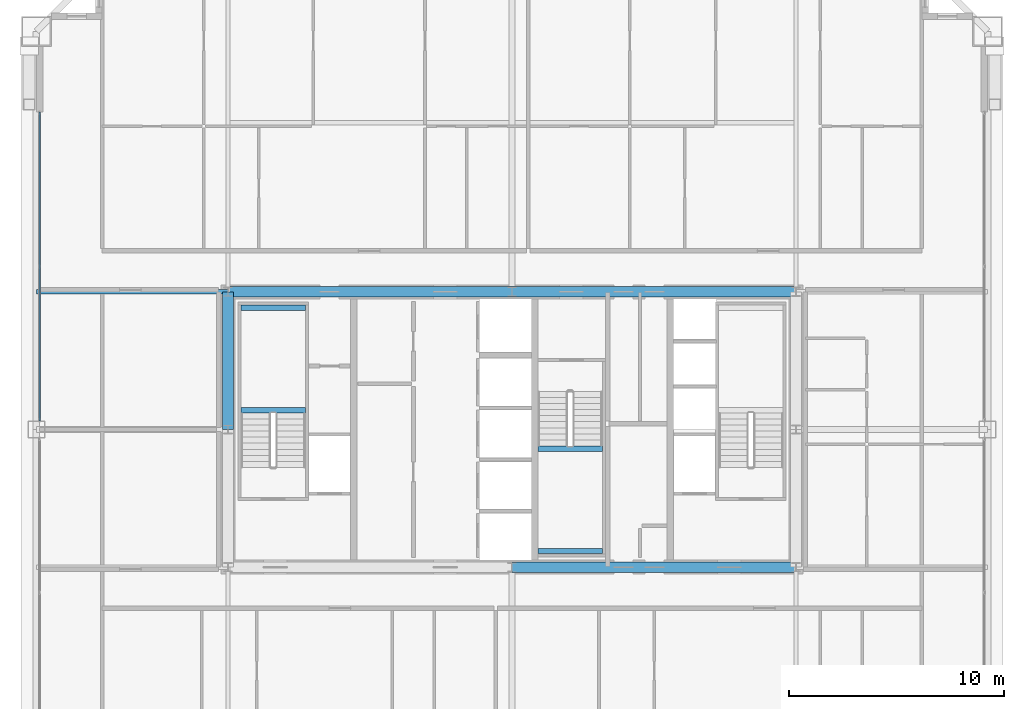
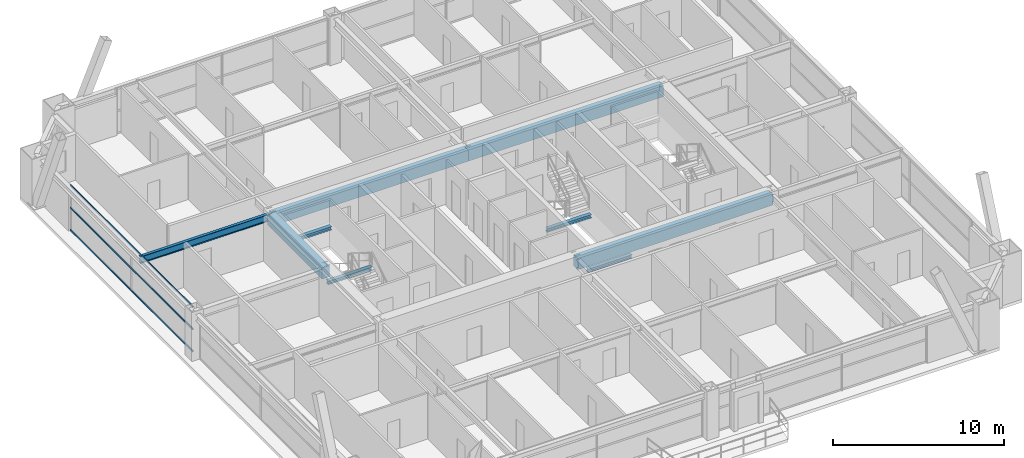
# One storey, part 19 of 45: 9 beams, 3 members, 1 element without a shape of its own.
"""IFC4 building model written with IfcOpenShell, lengths in metres."""

from ifc_helpers import new_model, si_unit, direction, frame, origin, origin_2d, place, context, subcontext, project, spatial, rectangle, hollow_rectangle, i_section, extrude, source, transform, mapped, material, layer, layer_set, material_profile, profile_set, type_object, element, aggregate, save


model = new_model("IFC4")

# Units and contexts
model_context = context("Model", 3, precision=1e-05, world=origin(), true_north=direction((0.0, 1.0)))
body_context = subcontext(model_context, "Body", "Model", "MODEL_VIEW")
ifc_project = project(units=[si_unit("LENGTHUNIT", "METRE"), si_unit("AREAUNIT", "SQUARE_METRE"), si_unit("VOLUMEUNIT", "CUBIC_METRE"), si_unit("PLANEANGLEUNIT", "RADIAN"), si_unit("MASSUNIT", "GRAM", prefix="KILO"), si_unit("THERMODYNAMICTEMPERATUREUNIT", "KELVIN"), si_unit("POWERUNIT", "WATT")], contexts=[model_context])

# Site, building, storey
site_placement = place(None, origin())
site = spatial("IfcSite", under=ifc_project, at=site_placement, CompositionType="ELEMENT")
building_placement = place(site_placement, origin())
building = spatial("IfcBuilding", under=site, at=building_placement, Name="Yuzanri Waterfront Tower", CompositionType="ELEMENT")
storey_placement = place(building_placement, frame((0.0, 0.0, 198.5)))
storey = spatial("IfcBuildingStorey", under=building, at=storey_placement, Name="L52", CompositionType="ELEMENT", Elevation=198.5)

# Beams
ifc_material_1 = material(Name="Steel Q355B", Category="steel")
ifc_material_profile_1 = material_profile(ifc_material_1, i_section(OverallWidth=0.199951171875, OverallDepth=0.5, WebThickness=0.010009765625, FlangeThickness=0.01611328125, at=origin_2d()), Name="HN 500x200x10x16")
ifc_profile_set_1 = profile_set([ifc_material_profile_1], Name="Steel Q355B")
beam_type_1 = type_object("IfcBeamType", Name="Secondary Floor Beam Q355B HN 500x200", PredefinedType="BEAM", material=ifc_profile_set_1)
shared_shape_1 = source(origin(), body_context, "Body", "SweptSolid", [
    extrude(i_section(OverallWidth=0.199951171875, OverallDepth=0.5, WebThickness=0.010009765625, FlangeThickness=0.01611328125, at=origin_2d()), origin(), (0.0, 0.0, 1.0), 8.900146484375),
])
beam_1_placement = place(storey_placement, frame((23.800048828125, 32.199951171875, 3.030029296875), z_axis=(-1.0, 0.0, 0.0), x_axis=(0.0, -1.0, 0.0)))
element("IfcBeam", 1, at=beam_1_placement, inside=storey, type_object=beam_type_1, Name="L52 West-North Core Line Beam", PredefinedType="BEAM", context=body_context, shape_type="MappedRepresentation", body=[
    mapped(shared_shape_1, transform((0.0, 0.0, 0.0), scale=1.0)),
])
ifc_material_2 = material(Name="Concrete C50", Category="concrete")
ifc_material_profile_2 = material_profile(ifc_material_2, rectangle(XDim=0.5, YDim=0.800048828125, at=origin_2d()), Name="RC 500x800")
ifc_profile_set_2 = profile_set([ifc_material_profile_2], Name="Concrete C50")
beam_type_2 = type_object("IfcBeamType", Name="Core Coupling Lintel Concrete C50 500x800", PredefinedType="LINTEL", material=ifc_profile_set_2)
shared_shape_2 = source(origin(), body_context, "Body", "SweptSolid", [
    extrude(rectangle(XDim=0.5, YDim=0.800048828125, at=origin_2d()), origin(), (0.0, 0.0, 1.0), 13.199951171875),
])
for number, where, z_axis, x_axis, name in (
    (2, (37.0, 19.39990234375, 2.8798828125), (1.0, 0.0, 0.0), (0.0, 1.0, 0.0), "L52 Core Tie Beam CS2"),
    (3, (23.800048828125, 32.199951171875, 2.8798828125), (1.0, 0.0, 0.0), (0.0, 1.0, 0.0), "L52 Core Tie Beam CN1"),
    (4, (37.0, 32.199951171875, 2.8798828125), (1.0, 0.0, 0.0), (0.0, 1.0, 0.0), "L52 Core Tie Beam CN2"),
):
    element("IfcBeam", number, at=place(storey_placement, frame(where, z_axis=z_axis, x_axis=x_axis)), inside=storey, type_object=beam_type_2, Name=name, PredefinedType="LINTEL", context=body_context, shape_type="MappedRepresentation", body=[
        mapped(shared_shape_2, transform((0.0, 0.0, 0.0), scale=1.0)),
    ])
shared_shape_3 = source(origin(), body_context, "Body", "SweptSolid", [
    extrude(rectangle(XDim=0.5, YDim=0.800048828125, at=origin_2d()), origin(), (0.0, 0.0, 1.0), 6.39990234375),
])
beam_2_placement = place(storey_placement, frame((23.800048828125, 25.800048828125, 2.8798828125), z_axis=(0.0, 1.0, 0.0), x_axis=(-1.0, 0.0, 0.0)))
element("IfcBeam", 5, at=beam_2_placement, inside=storey, type_object=beam_type_2, Name="L52 Core Tie Beam CW2", PredefinedType="LINTEL", context=body_context, shape_type="MappedRepresentation", body=[
    mapped(shared_shape_3, transform((0.0, 0.0, 0.0), scale=1.0)),
])

# Curtain wall, members
ifc_material_3 = material(Name="Anodized Architectural Bronze", Category="metal")
ifc_layer = layer(ifc_material_3, 0.159912109375)
ifc_layer_set = layer_set([ifc_layer], Name="Anodized Architectural Bronze")
curtain_wall_type = type_object("IfcCurtainWallType", Name="Anodized Bronze Mid-Rise Residential Acoustic Unitized Curtain Wall 7200", PredefinedType="NOTDEFINED", material=ifc_layer_set)
curtain_wall_placement = place(storey_placement, origin())
curtain_wall = element("IfcCurtainWall", 6, at=curtain_wall_placement, inside=storey, type_object=curtain_wall_type, Name="L52 Curtain Wall CW-L52-WR", PredefinedType="NOTDEFINED")
ifc_material_4 = material(Name="Anodized Architectural Bronze", Category="metal")
ifc_material_profile_3 = material_profile(ifc_material_4, hollow_rectangle(XDim=0.06494140625, YDim=0.1201171875, WallThickness=0.00341796875, at=origin_2d()), Name="CWT 65x120")
ifc_profile_set_3 = profile_set([ifc_material_profile_3], Name="Anodized Architectural Bronze")
member_type = type_object("IfcMemberType", Name="Anodized Bronze Secondary Curtain-Wall Transom 65x120", PredefinedType="USERDEFINED", material=ifc_profile_set_3)
shared_shape_4 = source(origin(), body_context, "Body", "SweptSolid", [
    extrude(hollow_rectangle(XDim=0.06494140625, YDim=0.1201171875, WallThickness=0.00341796875, at=origin_2d()), origin(), (0.0, 0.0, 1.0), 14.35009765625),
])
member_1_placement = place(storey_placement, frame((15.050048828125, 26.199951171875, 0.050048828125), z_axis=(0.0, 1.0, 0.0), x_axis=(-1.0, 0.0, 0.0)))
member_1 = element("IfcMember", 7, at=member_1_placement, type_object=member_type, Name="CW-L52-WR Transom 1", ObjectType="TRANSOM", PredefinedType="USERDEFINED", context=body_context, shape_type="MappedRepresentation", body=[
    mapped(shared_shape_4, transform((0.0, 0.0, 0.0), scale=1.0)),
])
member_2_placement = place(storey_placement, frame((15.050048828125, 26.199951171875, 1.639892578125), z_axis=(0.0, 1.0, 0.0), x_axis=(-1.0, 0.0, 0.0)))
member_2 = element("IfcMember", 8, at=member_2_placement, type_object=member_type, Name="CW-L52-WR Transom 2", ObjectType="TRANSOM", PredefinedType="USERDEFINED", context=body_context, shape_type="MappedRepresentation", body=[
    mapped(shared_shape_4, transform((0.0, 0.0, 0.0), scale=1.0)),
])
member_3_placement = place(storey_placement, frame((15.050048828125, 26.199951171875, 3.22998046875), z_axis=(0.0, 1.0, 0.0), x_axis=(-1.0, 0.0, 0.0)))
member_3 = element("IfcMember", 9, at=member_3_placement, type_object=member_type, Name="CW-L52-WR Transom 3", ObjectType="TRANSOM", PredefinedType="USERDEFINED", context=body_context, shape_type="MappedRepresentation", body=[
    mapped(shared_shape_4, transform((0.0, 0.0, 0.0), scale=1.0)),
])
aggregate(curtain_wall, [member_1, member_2, member_3])

# Beams
ifc_material_5 = material(Name="Steel Q355B", Category="steel")
ifc_material_profile_4 = material_profile(ifc_material_5, i_section(OverallWidth=0.25, OverallDepth=0.25, WebThickness=0.009033203125, FlangeThickness=0.013916015625, at=origin_2d()), Name="HW 250x250x9x14")
ifc_profile_set_4 = profile_set([ifc_material_profile_4], Name="Steel Q355B")
beam_type_3 = type_object("IfcBeamType", Name="Stair Landing Support Beam Q355B HW 250x250", PredefinedType="BEAM", material=ifc_profile_set_4)
shared_shape_5 = source(origin(), body_context, "Body", "SweptSolid", [
    extrude(i_section(OverallWidth=0.25, OverallDepth=0.25, WebThickness=0.009033203125, FlangeThickness=0.013916015625, at=origin_2d()), origin(), (0.0, 0.0, 1.0), 3.0),
])
for number, where, z_axis, x_axis, name in (
    (10, (24.39990234375, 26.68994140625, 1.425048828125), (1.0, 0.0, 0.0), (0.0, 1.0, 0.0), "L52 Stair Landing Support Beam ST-01-L52-L1-1"),
    (11, (24.39990234375, 31.449951171875, 1.425048828125), (1.0, 0.0, 0.0), (0.0, 1.0, 0.0), "L52 Stair Landing Support Beam ST-01-L52-L1-2"),
    (12, (38.199951171875, 20.14990234375, 1.425048828125), (1.0, 0.0, 0.0), (0.0, 1.0, 0.0), "L52 Stair Landing Support Beam ST-03-L52-L1-1"),
    (13, (38.199951171875, 24.909912109375, 1.425048828125), (1.0, 0.0, 0.0), (0.0, 1.0, 0.0), "L52 Stair Landing Support Beam ST-03-L52-L1-2"),
):
    element("IfcBeam", number, at=place(storey_placement, frame(where, z_axis=z_axis, x_axis=x_axis)), inside=storey, type_object=beam_type_3, Name=name, PredefinedType="BEAM", context=body_context, shape_type="MappedRepresentation", body=[
        mapped(shared_shape_5, transform((0.0, 0.0, 0.0), scale=1.0)),
    ])

save(model, "model.ifc")
